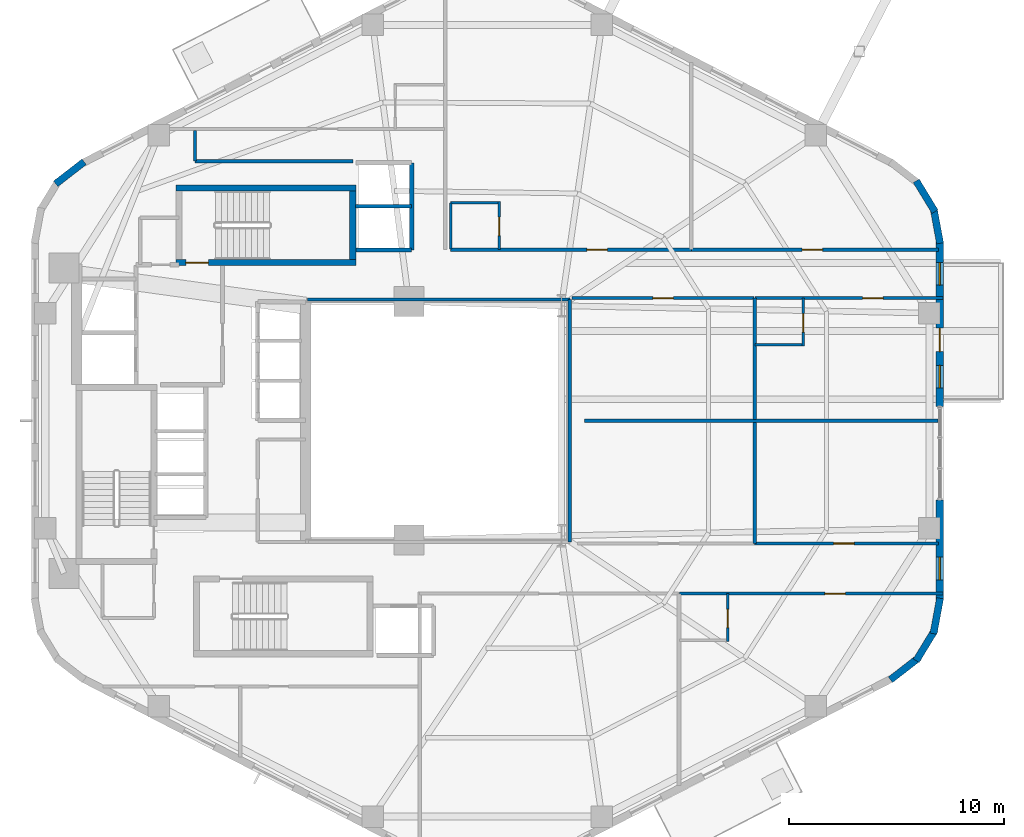
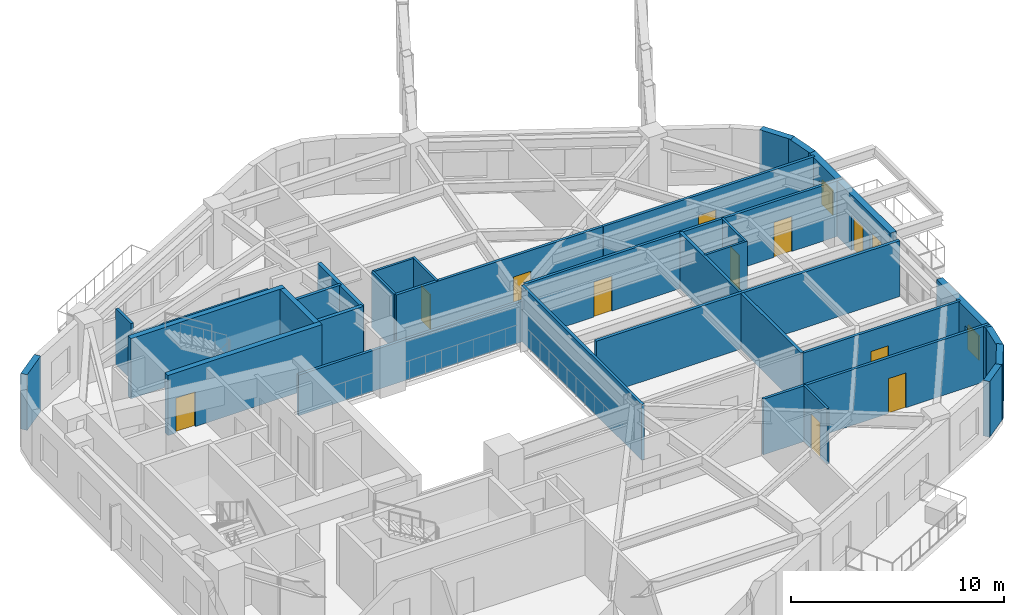
# One storey, part 6 of 10: 33 walls, 11 doors, 3 windows, 14 openings.
"""IFC4 building model written with IfcOpenShell, lengths in metres."""

import ifcopenshell
import ifcopenshell.guid

model = None  # the IFC model being written
_history = None  # IfcOwnerHistory: only IFC2X3 demands one
_inside = {}  # id of a spatial element -> (the spatial element, [elements in it])
_under = {}  # id of a project, library or spatial element -> (it, [spatial elements below it])
_declared = {}  # id of a project -> (the project, [libraries it declares])
_typed = {}  # id of a type object -> (the type object, [elements of that type])
_made_of = {}  # id of a material, layer set ... -> (it, [elements and type objects made of it])


def new_model(schema):
    """Start an empty IFC model of exactly this schema.

    Asked for "IFC4X3", IfcOpenShell would pick the latest addendum, in which some entities
    have other attributes; the version numbers below select the first issue.
    IFC2X3 requires an IfcOwnerHistory on every rooted entity: one is made here for all.
    """
    global model, _history
    if schema == "IFC4X3":
        model = ifcopenshell.file(schema_version=(4, 3, 0, 0))
    else:
        model = ifcopenshell.file(schema=schema)
    _inside.clear()
    _under.clear()
    _declared.clear()
    _typed.clear()
    _made_of.clear()
    _history = None
    if model.schema == "IFC2X3":
        org = make("IfcOrganization", Name="unknown")
        user = make(
            "IfcPersonAndOrganization",
            ThePerson=make("IfcPerson", FamilyName="unknown"),
            TheOrganization=org,
        )
        app = make(
            "IfcApplication",
            ApplicationDeveloper=org,
            Version="unknown",
            ApplicationFullName="unknown",
            ApplicationIdentifier="unknown",
        )
        _history = make(
            "IfcOwnerHistory",
            OwningUser=user,
            OwningApplication=app,
            ChangeAction="ADDED",
            CreationDate=0,
        )
    return model


def make(cls, **values):
    """One entity of the class cls with the attributes given. An attribute that is None is left unset."""
    return model.create_entity(
        cls, **{name: value for name, value in values.items() if value is not None}
    )


def rooted(cls, **values):
    """An entity with a GlobalId (a new one), such as an element, a storey or a relation."""
    return make(cls, GlobalId=ifcopenshell.guid.new(), OwnerHistory=_history, **values)


def si_unit(unit_type, name, prefix=None):
    """IfcSIUnit, for example si_unit("LENGTHUNIT", "METRE", prefix="MILLI")."""
    return make("IfcSIUnit", UnitType=unit_type, Prefix=prefix, Name=name)


def assignment(units):
    """IfcUnitAssignment: the units of a project."""
    return None if units is None else make("IfcUnitAssignment", Units=units)


def point(xyz):
    """IfcCartesianPoint."""
    return None if xyz is None else make("IfcCartesianPoint", Coordinates=xyz)


def direction(xyz):
    """IfcDirection."""
    return None if xyz is None else make("IfcDirection", DirectionRatios=xyz)


def frame(location, z_axis=None, x_axis=None):
    """IfcAxis2Placement3D, a coordinate frame: its origin and axes. An axis left out is left unset."""
    return make(
        "IfcAxis2Placement3D",
        Location=point(location),
        Axis=direction(z_axis),
        RefDirection=direction(x_axis),
    )


def frame_2d(location, x_axis=None):
    """IfcAxis2Placement2D, a coordinate frame in the plane: its origin and x axis."""
    return make(
        "IfcAxis2Placement2D", Location=point(location), RefDirection=direction(x_axis)
    )


def origin():
    """The frame at (0, 0, 0) with its axes left unset."""
    return frame((0.0, 0.0, 0.0))


def place(relative_to, where):
    """IfcLocalPlacement: puts the frame where relative to a parent placement (None: the world)."""
    return make(
        "IfcLocalPlacement", PlacementRelTo=relative_to, RelativePlacement=where
    )


def context(
    kind, dimensions, precision=None, world=None, true_north=None, identifier=None
):
    """IfcGeometricRepresentationContext, for example the 3D "Model" context."""
    return make(
        "IfcGeometricRepresentationContext",
        ContextIdentifier=identifier,
        ContextType=kind,
        CoordinateSpaceDimension=dimensions,
        Precision=precision,
        WorldCoordinateSystem=world,
        TrueNorth=true_north,
    )


def subcontext(parent, identifier, kind, view, scale=None):
    """IfcGeometricRepresentationSubContext, for example "Body" below "Model"."""
    return make(
        "IfcGeometricRepresentationSubContext",
        ContextIdentifier=identifier,
        ContextType=kind,
        ParentContext=parent,
        TargetScale=scale,
        TargetView=view,
    )


def project(units=None, contexts=None):
    """IfcProject with its units and contexts."""
    return rooted(
        "IfcProject",
        Name="project",
        RepresentationContexts=contexts,
        UnitsInContext=assignment(units),
    )


def spatial(cls, under=None, at=None, **own):
    """A site, building, storey or space (cls), placed at a placement, below another one or the project."""
    s = rooted(cls, ObjectPlacement=at, **own)
    if under is not None:
        _under.setdefault(under.id(), (under, []))[1].append(s)
    return s


def profile(cls, at=None, kind="AREA", **sizes):
    """A parametric profile (cls). Its sizes go by their IFC names, for example OverallWidth=200.0."""
    return make(cls, ProfileType=kind, Position=at, **sizes)


def rectangle(**sizes):
    """IfcRectangleProfileDef."""
    return profile("IfcRectangleProfileDef", **sizes)


def extrude(swept, where, along, depth):
    """IfcExtrudedAreaSolid: the profile swept, set in the frame where, extruded along a direction by depth."""
    return make(
        "IfcExtrudedAreaSolid",
        SweptArea=swept,
        Position=where,
        ExtrudedDirection=direction(along),
        Depth=depth,
    )


def shape(context_of_items, identifier, shape_type, items):
    """IfcShapeRepresentation: the items that make up one representation, for example the "Body"."""
    return make(
        "IfcShapeRepresentation",
        ContextOfItems=context_of_items,
        RepresentationIdentifier=identifier,
        RepresentationType=shape_type,
        Items=items,
    )


def material(Name=None, Category=None):
    """IfcMaterial."""
    return make("IfcMaterial", Name=Name, Category=Category)


def layer(
    of_material, thickness, ventilated=None, Name=None, Category=None, Priority=None
):
    """IfcMaterialLayer: one layer of a wall or slab, of a material (None: an air gap)."""
    return make(
        "IfcMaterialLayer",
        Material=of_material,
        LayerThickness=thickness,
        IsVentilated=ventilated,
        Name=Name,
        Category=Category,
        Priority=Priority,
    )


def layer_set(layers, Name=None):
    """IfcMaterialLayerSet."""
    return make("IfcMaterialLayerSet", MaterialLayers=layers, LayerSetName=Name)


def made_of(thing, what):
    """Note that an element or type object is made of a material, layer set ...; save() writes the relation."""
    if what is not None:
        _made_of.setdefault(what.id(), (what, []))[1].append(thing)
    return thing


def type_object(cls, material=None, **own):
    """A type object (cls), such as IfcWallType, which elements share."""
    return made_of(rooted(cls, **own), material)


def element(
    cls,
    number,
    at=None,
    inside=None,
    cuts=None,
    type_object=None,
    material=None,
    context=None,
    identifier="Body",
    shape_type=None,
    held_by="IfcProductDefinitionShape",
    body=None,
    shapes=None,
    **own,
):
    """One element of the class cls, such as IfcWall. Its Tag is "e" and its number.

    at: its placement. inside: the storey or other place that contains it. cuts: it is an
    opening in that element (IfcRelVoidsElement). A single representation is given by context,
    identifier, shape_type and body (its items); several are given by shapes. held_by: the class
    of the entity that holds the representations. save() writes the other relations.
    """
    e = rooted(cls, Tag="e%d" % number, ObjectPlacement=at, **own)
    if body is not None:
        shapes = [shape(context, identifier, shape_type, body)]
    if shapes is not None:
        e.Representation = make(held_by, Representations=shapes)
    if inside is not None:
        _inside.setdefault(inside.id(), (inside, []))[1].append(e)
    if cuts is not None:
        rooted(
            "IfcRelVoidsElement", RelatingBuildingElement=cuts, RelatedOpeningElement=e
        )
    if type_object is not None:
        _typed.setdefault(type_object.id(), (type_object, []))[1].append(e)
    return made_of(e, material)


def fill(opening, filler):
    """IfcRelFillsElement: the door or window that sits in an opening."""
    return rooted(
        "IfcRelFillsElement",
        RelatingOpeningElement=opening,
        RelatedBuildingElement=filler,
    )


def aggregate(whole, parts):
    """IfcRelAggregates: a whole, such as a stair, and the parts it consists of."""
    return rooted("IfcRelAggregates", RelatingObject=whole, RelatedObjects=parts)


def save(model, path):
    """Write the relations noted so far, then the file.

    IfcRelAggregates (storeys below a building ...), IfcRelContainedInSpatialStructure (elements
    in a storey), IfcRelDefinesByType, IfcRelAssociatesMaterial and IfcRelDeclares: one each for
    every whole, place, type object, material and project.
    """
    for whole, parts in _under.values():
        aggregate(whole, parts)
    for where, things in _inside.values():
        rooted(
            "IfcRelContainedInSpatialStructure",
            RelatedElements=things,
            RelatingStructure=where,
        )
    for kind, things in _typed.values():
        rooted("IfcRelDefinesByType", RelatedObjects=things, RelatingType=kind)
    for what, things in _made_of.values():
        rooted("IfcRelAssociatesMaterial", RelatedObjects=things, RelatingMaterial=what)
    for by, libraries in _declared.values():
        rooted("IfcRelDeclares", RelatingContext=by, RelatedDefinitions=libraries)
    model.write(path)


model = new_model("IFC4")

# Units and contexts
model_context = context("Model", 3, precision=1e-05, world=origin(), true_north=direction((0.0, 1.0)))
body_context = subcontext(model_context, "Body", "Model", "MODEL_VIEW")
ifc_project = project(units=[si_unit("LENGTHUNIT", "METRE"), si_unit("AREAUNIT", "SQUARE_METRE"), si_unit("VOLUMEUNIT", "CUBIC_METRE"), si_unit("PLANEANGLEUNIT", "RADIAN"), si_unit("MASSUNIT", "GRAM", prefix="KILO"), si_unit("THERMODYNAMICTEMPERATUREUNIT", "KELVIN"), si_unit("POWERUNIT", "WATT")], contexts=[model_context])

# Site, building, storey
site_placement = place(None, origin())
site = spatial("IfcSite", under=ifc_project, at=site_placement, CompositionType="ELEMENT")
building_placement = place(site_placement, origin())
building = spatial("IfcBuilding", under=site, at=building_placement, Name="Skarre Station Tower", CompositionType="ELEMENT")
storey_placement = place(building_placement, frame((0.0, 0.0, 105.0)))
storey = spatial("IfcBuildingStorey", under=building, at=storey_placement, Name="L27", CompositionType="ELEMENT", Elevation=105.0)

# Walls
ifc_material_1 = material(Name="Acoustic Steel-Stud Gypsum Partition", Category="steel")
ifc_layer_1 = layer(ifc_material_1, 0.14990234375, Name="Acoustic Steel-Stud Gypsum Partition")
ifc_layer_set_1 = layer_set([ifc_layer_1], Name="Acoustic Steel-Stud Gypsum Partition")
wall_type_1 = type_object("IfcWallType", Name="Fire-Rated Corridor Acoustic Partition 150", PredefinedType="PARTITIONING", material=ifc_layer_set_1)
wall_1_placement = place(storey_placement, frame((39.840087890625, 29.639892578125, 0.0), z_axis=(0.0, 0.0, 1.0), x_axis=(-1.0, 0.0, 0.0)))
element("IfcWall", 1, at=wall_1_placement, inside=storey, type_object=wall_type_1, Name="L27 Interior Partition WL-PT-L27-ATRW-N", PredefinedType="PARTITIONING", context=body_context, shape_type="SweptSolid", body=[
    extrude(rectangle(XDim=12.2001953125, YDim=0.14990234375, at=frame_2d((6.10009765625, 0.0))), origin(), (0.0, 0.0, 1.0), 2.3310546875),
])
wall_2_placement = place(storey_placement, frame((39.840087890625, 18.360107421875, 0.0), z_axis=(0.0, 0.0, 1.0), x_axis=(0.0, 1.0, 0.0)))
element("IfcWall", 2, at=wall_2_placement, inside=storey, type_object=wall_type_1, Name="L27 Interior Partition WL-PT-L27-ATRW-E", PredefinedType="PARTITIONING", context=body_context, shape_type="SweptSolid", body=[
    extrude(rectangle(XDim=11.27978515625, YDim=0.14990234375, at=frame_2d((5.639892578125, 0.0))), origin(), (0.0, 0.0, 1.0), 3.18994140625),
])

# Wall, opening, door
wall_3_placement = place(storey_placement, frame((45.493896484375, 31.9599609375, 0.0), z_axis=(0.0, 0.0, 1.0), x_axis=(-1.0, 0.0, 0.0)))
wall_3 = element("IfcWall", 3, at=wall_3_placement, inside=storey, type_object=wall_type_1, Name="L27 Interior Partition WL-PT-L27-NW1-CW", PredefinedType="PARTITIONING", context=body_context, shape_type="SweptSolid", body=[
    extrude(rectangle(XDim=11.203857421875, YDim=0.14990234375, at=frame_2d((5.60205078125, 0.0))), origin(), (0.0, 0.0, 1.0), 3.18994140625),
])
opening_1_placement = place(wall_3_placement, frame((3.903076171875, 0.0, 0.0)))
opening_1 = element("IfcOpeningElement", 4, at=opening_1_placement, cuts=wall_3, Name="Opening DR-FD60", PredefinedType="OPENING", context=body_context, shape_type="SweptSolid", body=[
    extrude(rectangle(XDim=0.9599609375, YDim=2.0, at=frame_2d((0.47998046875, 1.0))), frame((0.0, 0.0849609375, 0.0), z_axis=(0.0, -1.0, 0.0), x_axis=(1.0, 0.0, 0.0)), (0.0, 0.0, 1.0), 0.169921875),
])
ifc_material_2 = material(Name="Nordic White-Oak Veneer Solid-Core Fire Leaf", Category="wood")
door_type_1 = type_object("IfcDoorType", Name="Corridor Suite Entry Fire Door FD60 960x2150", OperationType="SINGLE_SWING_LEFT", PredefinedType="DOOR", material=ifc_material_2)
door_1_placement = place(opening_1_placement, origin())
door_1 = element("IfcDoor", 5, at=door_1_placement, inside=storey, type_object=door_type_1, Name="L27 NW1 Entry Door", OperationType="SINGLE_SWING_LEFT", OverallHeight=2.0, OverallWidth=0.9599609375, PredefinedType="DOOR", context=body_context, shape_type="SweptSolid", body=[
    extrude(rectangle(XDim=0.9599609375, YDim=2.0, at=frame_2d((0.47998046875, 1.0))), frame((0.0, 0.02490234375, 0.0), z_axis=(0.0, -1.0, 0.0), x_axis=(1.0, 0.0, 0.0)), (0.0, 0.0, 1.0), 0.050048828125),
])
fill(opening_1, door_1)

wall_4_placement = place(storey_placement, frame((56.987060546875, 31.9599609375, 0.0), z_axis=(0.0, 0.0, 1.0), x_axis=(-1.0, 0.0, 0.0)))
wall_4 = element("IfcWall", 6, at=wall_4_placement, inside=storey, type_object=wall_type_1, Name="L27 Interior Partition WL-PT-L27-NW2-CW", PredefinedType="PARTITIONING", context=body_context, shape_type="SweptSolid", body=[
    extrude(rectangle(XDim=11.483154296875, YDim=0.14990234375, at=frame_2d((5.74169921875, 0.0))), origin(), (0.0, 0.0, 1.0), 3.18994140625),
])
opening_2_placement = place(wall_4_placement, frame((5.381103515625, 0.0, 0.0)))
opening_2 = element("IfcOpeningElement", 7, at=opening_2_placement, cuts=wall_4, Name="Opening DR-FD60", PredefinedType="OPENING", context=body_context, shape_type="SweptSolid", body=[
    extrude(rectangle(XDim=0.9599609375, YDim=2.0, at=frame_2d((0.47998046875, 1.0))), frame((0.0, 0.0849609375, 0.0), z_axis=(0.0, -1.0, 0.0), x_axis=(1.0, 0.0, 0.0)), (0.0, 0.0, 1.0), 0.169921875),
])
door_2_placement = place(opening_2_placement, origin())
door_2 = element("IfcDoor", 8, at=door_2_placement, inside=storey, type_object=door_type_1, Name="L27 NW2 Entry Door", OperationType="SINGLE_SWING_LEFT", OverallHeight=2.0, OverallWidth=0.9599609375, PredefinedType="DOOR", context=body_context, shape_type="SweptSolid", body=[
    extrude(rectangle(XDim=0.9599609375, YDim=2.0, at=frame_2d((0.47998046875, 1.0))), frame((0.0, 0.02490234375, 0.0), z_axis=(0.0, -1.0, 0.0), x_axis=(1.0, 0.0, 0.0)), (0.0, 0.0, 1.0), 0.050048828125),
])
fill(opening_2, door_2)

wall_5_placement = place(storey_placement, frame((39.949951171875, 29.7099609375, 0.0), z_axis=(0.0, 0.0, 1.0), x_axis=(1.0, 0.0, 0.0)))
wall_5 = element("IfcWall", 9, at=wall_5_placement, inside=storey, type_object=wall_type_1, Name="L27 Interior Partition WL-PT-L27-EWN1-CW", PredefinedType="PARTITIONING", context=body_context, shape_type="SweptSolid", body=[
    extrude(rectangle(XDim=8.468994140625, YDim=0.14990234375, at=frame_2d((4.234375, 0.0))), origin(), (0.0, 0.0, 1.0), 3.18994140625),
])
opening_3_placement = place(wall_5_placement, frame((3.75390625, 0.0, 0.0)))
opening_3 = element("IfcOpeningElement", 10, at=opening_3_placement, cuts=wall_5, Name="Opening DR-FD60", PredefinedType="OPENING", context=body_context, shape_type="SweptSolid", body=[
    extrude(rectangle(XDim=0.9599609375, YDim=2.0, at=frame_2d((0.47998046875, 1.0))), frame((0.0, 0.0849609375, 0.0), z_axis=(0.0, -1.0, 0.0), x_axis=(1.0, 0.0, 0.0)), (0.0, 0.0, 1.0), 0.169921875),
])
door_3_placement = place(opening_3_placement, origin())
door_3 = element("IfcDoor", 11, at=door_3_placement, inside=storey, type_object=door_type_1, Name="L27 EWN1 Entry Door", OperationType="SINGLE_SWING_LEFT", OverallHeight=2.0, OverallWidth=0.9599609375, PredefinedType="DOOR", context=body_context, shape_type="SweptSolid", body=[
    extrude(rectangle(XDim=0.9599609375, YDim=2.0, at=frame_2d((0.47998046875, 1.0))), frame((0.0, 0.02490234375, 0.0), z_axis=(0.0, -1.0, 0.0), x_axis=(1.0, 0.0, 0.0)), (0.0, 0.0, 1.0), 0.050048828125),
])
fill(opening_3, door_3)

wall_6_placement = place(storey_placement, frame((48.448974609375, 29.7099609375, 0.0), z_axis=(0.0, 0.0, 1.0), x_axis=(1.0, 0.0, 0.0)))
wall_6 = element("IfcWall", 12, at=wall_6_placement, inside=storey, type_object=wall_type_1, Name="L27 Interior Partition WL-PT-L27-EWN2-CW", PredefinedType="PARTITIONING", context=body_context, shape_type="SweptSolid", body=[
    extrude(rectangle(XDim=8.759033203125, YDim=0.14990234375, at=frame_2d((4.37939453125, 0.0))), origin(), (0.0, 0.0, 1.0), 3.18994140625),
])
opening_4_placement = place(wall_6_placement, frame((5.013916015625, 0.0, 0.0)))
opening_4 = element("IfcOpeningElement", 13, at=opening_4_placement, cuts=wall_6, Name="Opening DR-FD60", PredefinedType="OPENING", context=body_context, shape_type="SweptSolid", body=[
    extrude(rectangle(XDim=0.9599609375, YDim=2.0, at=frame_2d((0.47998046875, 1.0))), frame((0.0, 0.0849609375, 0.0), z_axis=(0.0, -1.0, 0.0), x_axis=(1.0, 0.0, 0.0)), (0.0, 0.0, 1.0), 0.169921875),
])
door_4_placement = place(opening_4_placement, origin())
door_4 = element("IfcDoor", 14, at=door_4_placement, inside=storey, type_object=door_type_1, Name="L27 EWN2 Entry Door", OperationType="SINGLE_SWING_LEFT", OverallHeight=2.0, OverallWidth=0.9599609375, PredefinedType="DOOR", context=body_context, shape_type="SweptSolid", body=[
    extrude(rectangle(XDim=0.9599609375, YDim=2.0, at=frame_2d((0.47998046875, 1.0))), frame((0.0, 0.02490234375, 0.0), z_axis=(0.0, -1.0, 0.0), x_axis=(1.0, 0.0, 0.0)), (0.0, 0.0, 1.0), 0.050048828125),
])
fill(opening_4, door_4)

wall_7_placement = place(storey_placement, frame((56.988037109375, 18.2900390625, 0.0), z_axis=(0.0, 0.0, 1.0), x_axis=(-1.0, 0.0, 0.0)))
wall_7 = element("IfcWall", 15, at=wall_7_placement, inside=storey, type_object=wall_type_1, Name="L27 Interior Partition WL-PT-L27-EWS2-CW", PredefinedType="PARTITIONING", context=body_context, shape_type="SweptSolid", body=[
    extrude(rectangle(XDim=8.549072265625, YDim=0.14990234375, at=frame_2d((4.2744140625, 0.0))), origin(), (0.0, 0.0, 1.0), 3.18994140625),
])
opening_5_placement = place(wall_7_placement, frame((3.9140625, 0.0, 0.0)))
opening_5 = element("IfcOpeningElement", 16, at=opening_5_placement, cuts=wall_7, Name="Opening DR-FD60", PredefinedType="OPENING", context=body_context, shape_type="SweptSolid", body=[
    extrude(rectangle(XDim=0.9599609375, YDim=2.0, at=frame_2d((0.47998046875, 1.0))), frame((0.0, 0.0849609375, 0.0), z_axis=(0.0, -1.0, 0.0), x_axis=(1.0, 0.0, 0.0)), (0.0, 0.0, 1.0), 0.169921875),
])
door_5_placement = place(opening_5_placement, origin())
door_5 = element("IfcDoor", 17, at=door_5_placement, inside=storey, type_object=door_type_1, Name="L27 EWS2 Entry Door", OperationType="SINGLE_SWING_LEFT", OverallHeight=2.0, OverallWidth=0.9599609375, PredefinedType="DOOR", context=body_context, shape_type="SweptSolid", body=[
    extrude(rectangle(XDim=0.9599609375, YDim=2.0, at=frame_2d((0.47998046875, 1.0))), frame((0.0, 0.02490234375, 0.0), z_axis=(0.0, -1.0, 0.0), x_axis=(1.0, 0.0, 0.0)), (0.0, 0.0, 1.0), 0.050048828125),
])
fill(opening_5, door_5)

wall_8_placement = place(storey_placement, frame((44.93701171875, 15.9599609375, 0.0), z_axis=(0.0, 0.0, 1.0), x_axis=(1.0, 0.0, 0.0)))
wall_8 = element("IfcWall", 18, at=wall_8_placement, inside=storey, type_object=wall_type_1, Name="L27 Interior Partition WL-PT-L27-SW2-CW", PredefinedType="PARTITIONING", context=body_context, shape_type="SweptSolid", body=[
    extrude(rectangle(XDim=12.27099609375, YDim=0.14990234375, at=frame_2d((6.135498046875, 0.0))), origin(), (0.0, 0.0, 1.0), 3.18994140625),
])
opening_6_placement = place(wall_8_placement, frame((6.76904296875, 0.0, 0.0)))
opening_6 = element("IfcOpeningElement", 19, at=opening_6_placement, cuts=wall_8, Name="Opening DR-FD60", PredefinedType="OPENING", context=body_context, shape_type="SweptSolid", body=[
    extrude(rectangle(XDim=0.9599609375, YDim=2.0, at=frame_2d((0.47998046875, 1.0))), frame((0.0, 0.0849609375, 0.0), z_axis=(0.0, -1.0, 0.0), x_axis=(1.0, 0.0, 0.0)), (0.0, 0.0, 1.0), 0.169921875),
])
door_6_placement = place(opening_6_placement, origin())
door_6 = element("IfcDoor", 20, at=door_6_placement, inside=storey, type_object=door_type_1, Name="L27 SW2 Entry Door", OperationType="SINGLE_SWING_LEFT", OverallHeight=2.0, OverallWidth=0.9599609375, PredefinedType="DOOR", context=body_context, shape_type="SweptSolid", body=[
    extrude(rectangle(XDim=0.9599609375, YDim=2.0, at=frame_2d((0.47998046875, 1.0))), frame((0.0, 0.02490234375, 0.0), z_axis=(0.0, -1.0, 0.0), x_axis=(1.0, 0.0, 0.0)), (0.0, 0.0, 1.0), 0.050048828125),
])
fill(opening_6, door_6)

# Walls
wall_9_placement = place(storey_placement, frame((29.7529296875, 36.080078125, 0.0), z_axis=(0.0, 0.0, 1.0), x_axis=(-1.0, 0.0, 0.0)))
element("IfcWall", 21, at=wall_9_placement, inside=storey, type_object=wall_type_1, Name="L27 Interior Partition WL-PT-L27-CSEAL-1", PredefinedType="PARTITIONING", context=body_context, shape_type="SweptSolid", body=[
    extrude(rectangle(XDim=7.35302734375, YDim=0.14990234375, at=frame_2d((3.676513671875, 0.0))), origin(), (0.0, 0.0, 1.0), 2.58203125),
])
wall_10_placement = place(storey_placement, frame((22.39990234375, 36.080078125, 0.0), z_axis=(0.0, 0.0, 1.0), x_axis=(0.0, 1.0, 0.0)))
element("IfcWall", 22, at=wall_10_placement, inside=storey, type_object=wall_type_1, Name="L27 Interior Partition WL-PT-L27-CSEAL-2", PredefinedType="PARTITIONING", context=body_context, shape_type="SweptSolid", body=[
    extrude(rectangle(XDim=1.429931640625, YDim=0.14990234375, at=frame_2d((0.71484375, 0.0))), origin(), (0.0, 0.0, 1.0), 3.18994140625),
])

# Wall, opening, door
ifc_material_3 = material(Name="Insulated Timber-Stud Gypsum Partition", Category="wood")
ifc_layer_2 = layer(ifc_material_3, 0.1201171875, Name="Insulated Timber-Stud Gypsum Partition")
ifc_layer_set_2 = layer_set([ifc_layer_2], Name="Insulated Timber-Stud Gypsum Partition")
wall_type_2 = type_object("IfcWallType", Name="Internal Suite Acoustic Partition 120", PredefinedType="PARTITIONING", material=ifc_layer_set_2)
wall_11_placement = place(storey_placement, frame((36.550048828125, 31.9599609375, 0.0), z_axis=(0.0, 0.0, 1.0), x_axis=(0.0, 1.0, 0.0)))
wall_11 = element("IfcWall", 23, at=wall_11_placement, inside=storey, type_object=wall_type_2, Name="L27 Interior Partition WL-PT-L27-NW1-EW2", PredefinedType="PARTITIONING", context=body_context, shape_type="SweptSolid", body=[
    extrude(rectangle(XDim=2.239990234375, YDim=0.1201171875, at=frame_2d((1.1201171875, 0.0))), origin(), (0.0, 0.0, 1.0), 3.18994140625),
])
opening_7_placement = place(wall_11_placement, frame((0.64990234375, 0.0, 0.0)))
opening_7 = element("IfcOpeningElement", 24, at=opening_7_placement, cuts=wall_11, Name="Opening DR-INT86", PredefinedType="OPENING", context=body_context, shape_type="SweptSolid", body=[
    extrude(rectangle(XDim=0.860107421875, YDim=2.0, at=frame_2d((0.43017578125, 1.0))), frame((0.0, 0.070068359375, 0.0), z_axis=(0.0, -1.0, 0.0), x_axis=(1.0, 0.0, 0.0)), (0.0, 0.0, 1.0), 0.14013671875),
])
ifc_material_4 = material(Name="Nordic Birch Acoustic Solid-Core Timber Leaf", Category="wood")
door_type_2 = type_object("IfcDoorType", Name="Internal En-Suite & Bedroom Door 860x2100", OperationType="SINGLE_SWING_LEFT", PredefinedType="DOOR", material=ifc_material_4)
door_7_placement = place(opening_7_placement, origin())
door_7 = element("IfcDoor", 25, at=door_7_placement, inside=storey, type_object=door_type_2, Name="L27 NW1 En-suite Door", OperationType="SINGLE_SWING_LEFT", OverallHeight=2.0, OverallWidth=0.860107421875, PredefinedType="DOOR", context=body_context, shape_type="SweptSolid", body=[
    extrude(rectangle(XDim=0.860107421875, YDim=2.0, at=frame_2d((0.43017578125, 1.0))), frame((0.0, 0.02490234375, 0.0), z_axis=(0.0, -1.0, 0.0), x_axis=(1.0, 0.0, 0.0)), (0.0, 0.0, 1.0), 0.050048828125),
])
fill(opening_7, door_7)

# Walls
wall_12_placement = place(storey_placement, frame((36.610107421875, 34.139892578125, 0.0), z_axis=(0.0, 0.0, 1.0), x_axis=(-1.0, 0.0, 0.0)))
element("IfcWall", 26, at=wall_12_placement, inside=storey, type_object=wall_type_2, Name="L27 Interior Partition WL-PT-L27-NW1-EW3", PredefinedType="PARTITIONING", context=body_context, shape_type="SweptSolid", body=[
    extrude(rectangle(XDim=2.320068359375, YDim=0.1201171875, at=frame_2d((1.16015625, 0.0))), origin(), (0.0, 0.0, 1.0), 3.18994140625),
])
wall_13_placement = place(storey_placement, frame((34.2900390625, 34.139892578125, 0.0), z_axis=(0.0, 0.0, 1.0), x_axis=(0.0, -1.0, 0.0)))
element("IfcWall", 27, at=wall_13_placement, inside=storey, type_object=wall_type_2, Name="L27 Interior Partition WL-PT-L27-NW1-EW4", PredefinedType="PARTITIONING", context=body_context, shape_type="SweptSolid", body=[
    extrude(rectangle(XDim=2.139892578125, YDim=0.1201171875, at=frame_2d((1.06982421875, 0.0))), origin(), (0.0, 0.0, 1.0), 3.18994140625),
])

# Wall, opening, door
wall_14_placement = place(storey_placement, frame((50.708984375, 27.469970703125, 0.0), z_axis=(0.0, 0.0, 1.0), x_axis=(0.0, 1.0, 0.0)))
wall_14 = element("IfcWall", 28, at=wall_14_placement, inside=storey, type_object=wall_type_2, Name="L27 Interior Partition WL-PT-L27-EWN2-EW2", PredefinedType="PARTITIONING", context=body_context, shape_type="SweptSolid", body=[
    extrude(rectangle(XDim=2.239990234375, YDim=0.1201171875, at=frame_2d((1.1201171875, 0.0))), origin(), (0.0, 0.0, 1.0), 3.18994140625),
])
opening_8_placement = place(wall_14_placement, frame((0.64990234375, 0.0, 0.0)))
opening_8 = element("IfcOpeningElement", 29, at=opening_8_placement, cuts=wall_14, Name="Opening DR-INT86", PredefinedType="OPENING", context=body_context, shape_type="SweptSolid", body=[
    extrude(rectangle(XDim=0.860107421875, YDim=2.0, at=frame_2d((0.43017578125, 1.0))), frame((0.0, 0.070068359375, 0.0), z_axis=(0.0, -1.0, 0.0), x_axis=(1.0, 0.0, 0.0)), (0.0, 0.0, 1.0), 0.14013671875),
])
door_8_placement = place(opening_8_placement, origin())
door_8 = element("IfcDoor", 30, at=door_8_placement, inside=storey, type_object=door_type_2, Name="L27 EWN2 En-suite Door", OperationType="SINGLE_SWING_RIGHT", OverallHeight=2.0, OverallWidth=0.860107421875, PredefinedType="DOOR", context=body_context, shape_type="SweptSolid", body=[
    extrude(rectangle(XDim=0.860107421875, YDim=2.0, at=frame_2d((0.43017578125, 1.0))), frame((0.0, 0.02490234375, 0.0), z_axis=(0.0, -1.0, 0.0), x_axis=(1.0, 0.0, 0.0)), (0.0, 0.0, 1.0), 0.050048828125),
])
fill(opening_8, door_8)

# Wall
wall_15_placement = place(storey_placement, frame((48.448974609375, 27.530029296875, 0.0), z_axis=(0.0, 0.0, 1.0), x_axis=(1.0, 0.0, 0.0)))
element("IfcWall", 31, at=wall_15_placement, inside=storey, type_object=wall_type_2, Name="L27 Interior Partition WL-PT-L27-EWN2-EW1", PredefinedType="PARTITIONING", context=body_context, shape_type="SweptSolid", body=[
    extrude(rectangle(XDim=2.320068359375, YDim=0.1201171875, at=frame_2d((1.16015625, 0.0))), origin(), (0.0, 0.0, 1.0), 3.18994140625),
])

# Wall, opening, door
wall_16_placement = place(storey_placement, frame((47.197021484375, 13.719970703125, 0.0), z_axis=(0.0, 0.0, 1.0), x_axis=(0.0, 1.0, 0.0)))
wall_16 = element("IfcWall", 32, at=wall_16_placement, inside=storey, type_object=wall_type_2, Name="L27 Interior Partition WL-PT-L27-SW2-EW2", PredefinedType="PARTITIONING", context=body_context, shape_type="SweptSolid", body=[
    extrude(rectangle(XDim=2.239990234375, YDim=0.1201171875, at=frame_2d((1.1201171875, 0.0))), origin(), (0.0, 0.0, 1.0), 3.18994140625),
])
opening_9_placement = place(wall_16_placement, frame((0.64990234375, 0.0, 0.0)))
opening_9 = element("IfcOpeningElement", 33, at=opening_9_placement, cuts=wall_16, Name="Opening DR-INT86", PredefinedType="OPENING", context=body_context, shape_type="SweptSolid", body=[
    extrude(rectangle(XDim=0.860107421875, YDim=2.0, at=frame_2d((0.43017578125, 1.0))), frame((0.0, 0.070068359375, 0.0), z_axis=(0.0, -1.0, 0.0), x_axis=(1.0, 0.0, 0.0)), (0.0, 0.0, 1.0), 0.14013671875),
])
door_9_placement = place(opening_9_placement, origin())
door_9 = element("IfcDoor", 34, at=door_9_placement, inside=storey, type_object=door_type_2, Name="L27 SW2 En-suite Door", OperationType="SINGLE_SWING_RIGHT", OverallHeight=2.0, OverallWidth=0.860107421875, PredefinedType="DOOR", context=body_context, shape_type="SweptSolid", body=[
    extrude(rectangle(XDim=0.860107421875, YDim=2.0, at=frame_2d((0.43017578125, 1.0))), frame((0.0, 0.02490234375, 0.0), z_axis=(0.0, -1.0, 0.0), x_axis=(1.0, 0.0, 0.0)), (0.0, 0.0, 1.0), 0.050048828125),
])
fill(opening_9, door_9)

# Wall, openings, windows, door
ifc_material_5 = material(Name="Precast concrete C45/55", Category="concrete")
ifc_layer_3 = layer(ifc_material_5, 0.340087890625, Name="Precast concrete C45/55")
ifc_layer_set_3 = layer_set([ifc_layer_3], Name="Precast concrete C45/55")
wall_type_3 = type_object("IfcWallType", Name="Nordic Honed Precast Facet Wall 340", PredefinedType="STANDARD", material=ifc_layer_set_3)
wall_17_placement = place(storey_placement, frame((57.048095703125, 32.35205078125, 0.0), z_axis=(0.0, 0.0, 1.0), x_axis=(0.0, -1.0, 0.0)))
wall_17 = element("IfcWall", 35, at=wall_17_placement, inside=storey, type_object=wall_type_3, Name="L27 Facet 5 Pier A", PredefinedType="STANDARD", context=body_context, shape_type="SweptSolid", body=[
    extrude(rectangle(XDim=7.68408203125, YDim=0.340087890625, at=frame_2d((3.842041015625, 0.0))), origin(), (0.0, 0.0, 1.0), 3.18994140625),
])
opening_10_placement = place(wall_17_placement, frame((4.035888671875, 0.0, 0.0)))
opening_10 = element("IfcOpeningElement", 36, at=opening_10_placement, cuts=wall_17, Name="Opening DR-BAL110", PredefinedType="OPENING", context=body_context, shape_type="SweptSolid", body=[
    extrude(rectangle(XDim=1.10009765625, YDim=2.0400390625, at=frame_2d((0.550048828125, 1.02001953125))), frame((0.0, 0.179931640625, 0.0), z_axis=(0.0, -1.0, 0.0), x_axis=(1.0, 0.0, 0.0)), (0.0, 0.0, 1.0), 0.360107421875),
])
opening_11_placement = place(wall_17_placement, frame((0.991943359375, 0.0, 0.75)))
opening_11 = element("IfcOpeningElement", 37, at=opening_11_placement, cuts=wall_17, Name="Opening WN-SLT", PredefinedType="OPENING", context=body_context, shape_type="SweptSolid", body=[
    extrude(rectangle(XDim=1.050048828125, YDim=1.39990234375, at=frame_2d((0.52490234375, 0.699951171875))), frame((0.0, 0.179931640625, 0.0), z_axis=(0.0, -1.0, 0.0), x_axis=(1.0, 0.0, 0.0)), (0.0, 0.0, 1.0), 0.360107421875),
])
opening_12_placement = place(wall_17_placement, frame((5.77001953125, 0.0, 0.75)))
opening_12 = element("IfcOpeningElement", 38, at=opening_12_placement, cuts=wall_17, Name="Opening WN-SLT", PredefinedType="OPENING", context=body_context, shape_type="SweptSolid", body=[
    extrude(rectangle(XDim=1.050048828125, YDim=1.39990234375, at=frame_2d((0.52490234375, 0.699951171875))), frame((0.0, 0.179931640625, 0.0), z_axis=(0.0, -1.0, 0.0), x_axis=(1.0, 0.0, 0.0)), (0.0, 0.0, 1.0), 0.360107421875),
])
ifc_material_6 = material(Name="Low-Iron Triple Glazing with Bronze Anodized Frame", Category="glass")
window_type = type_object("IfcWindowType", Name="Nordic Corner Slot Window 1050x1400", PartitioningType="SINGLE_PANEL", PredefinedType="WINDOW", material=ifc_material_6)
window_1_placement = place(opening_11_placement, origin())
window_1 = element("IfcWindow", 39, at=window_1_placement, inside=storey, type_object=window_type, Name="L27 Facade Window WL-FAC-L27-F5A-1", OverallHeight=1.39990234375, OverallWidth=1.050048828125, PartitioningType="SINGLE_PANEL", PredefinedType="WINDOW", context=body_context, shape_type="SweptSolid", body=[
    extrude(rectangle(XDim=1.050048828125, YDim=1.39990234375, at=frame_2d((0.52490234375, 0.699951171875))), frame((0.0, 0.030029296875, 0.0), z_axis=(0.0, -1.0, 0.0), x_axis=(1.0, 0.0, 0.0)), (0.0, 0.0, 1.0), 0.06005859375),
])
fill(opening_11, window_1)
window_2_placement = place(opening_12_placement, origin())
window_2 = element("IfcWindow", 40, at=window_2_placement, inside=storey, type_object=window_type, Name="L27 Facade Window WL-FAC-L27-F5A-2", OverallHeight=1.39990234375, OverallWidth=1.050048828125, PartitioningType="SINGLE_PANEL", PredefinedType="WINDOW", context=body_context, shape_type="SweptSolid", body=[
    extrude(rectangle(XDim=1.050048828125, YDim=1.39990234375, at=frame_2d((0.52490234375, 0.699951171875))), frame((0.0, 0.030029296875, 0.0), z_axis=(0.0, -1.0, 0.0), x_axis=(1.0, 0.0, 0.0)), (0.0, 0.0, 1.0), 0.06005859375),
])
fill(opening_12, window_2)
ifc_material_7 = material(Name="Thermally Broken Aluminium & Triple Glazing", Category="aluminium")
door_type_3 = type_object("IfcDoorType", Name="Terrace & Tree-Balcony Glazed Door 1100x2200", OperationType="SINGLE_SWING_LEFT", PredefinedType="DOOR", material=ifc_material_7)
door_10_placement = place(opening_10_placement, origin())
door_10 = element("IfcDoor", 41, at=door_10_placement, inside=storey, type_object=door_type_3, Name="L27 SG-1 Conservatory Terrace Door", OperationType="SINGLE_SWING_LEFT", OverallHeight=2.0400390625, OverallWidth=1.10009765625, PredefinedType="DOOR", context=body_context, shape_type="SweptSolid", body=[
    extrude(rectangle(XDim=1.10009765625, YDim=2.0400390625, at=frame_2d((0.550048828125, 1.02001953125))), frame((0.0, 0.02490234375, 0.0), z_axis=(0.0, -1.0, 0.0), x_axis=(1.0, 0.0, 0.0)), (0.0, 0.0, 1.0), 0.050048828125),
])
fill(opening_10, door_10)

# Wall, opening, window
wall_18_placement = place(storey_placement, frame((57.048095703125, 20.324951171875, 0.0), z_axis=(0.0, 0.0, 1.0), x_axis=(0.0, -1.0, 0.0)))
wall_18 = element("IfcWall", 42, at=wall_18_placement, inside=storey, type_object=wall_type_3, Name="L27 Facet 5 Pier B", PredefinedType="STANDARD", context=body_context, shape_type="SweptSolid", body=[
    extrude(rectangle(XDim=4.677001953125, YDim=0.340087890625, at=frame_2d((2.33837890625, 0.0))), origin(), (0.0, 0.0, 1.0), 3.18994140625),
])
opening_13_placement = place(wall_18_placement, frame((2.675048828125, 0.0, 0.75)))
opening_13 = element("IfcOpeningElement", 43, at=opening_13_placement, cuts=wall_18, Name="Opening WN-SLT", PredefinedType="OPENING", context=body_context, shape_type="SweptSolid", body=[
    extrude(rectangle(XDim=1.050048828125, YDim=1.39990234375, at=frame_2d((0.52490234375, 0.699951171875))), frame((0.0, 0.179931640625, 0.0), z_axis=(0.0, -1.0, 0.0), x_axis=(1.0, 0.0, 0.0)), (0.0, 0.0, 1.0), 0.360107421875),
])
window_3_placement = place(opening_13_placement, origin())
window_3 = element("IfcWindow", 44, at=window_3_placement, inside=storey, type_object=window_type, Name="L27 Facade Window WL-FAC-L27-F5B-1", OverallHeight=1.39990234375, OverallWidth=1.050048828125, PartitioningType="SINGLE_PANEL", PredefinedType="WINDOW", context=body_context, shape_type="SweptSolid", body=[
    extrude(rectangle(XDim=1.050048828125, YDim=1.39990234375, at=frame_2d((0.52490234375, 0.699951171875))), frame((0.0, 0.030029296875, 0.0), z_axis=(0.0, -1.0, 0.0), x_axis=(1.0, 0.0, 0.0)), (0.0, 0.0, 1.0), 0.06005859375),
])
fill(opening_13, window_3)

# Walls
ifc_layer_4 = layer(ifc_material_5, 0.330078125, Name="Precast concrete C45/55")
ifc_layer_set_4 = layer_set([ifc_layer_4], Name="Precast concrete C45/55")
wall_type_4 = type_object("IfcWallType", Name="Nordic Rounded Corner Precast Wall 330", PredefinedType="STANDARD", material=ifc_layer_set_4)
wall_19_placement = place(storey_placement, frame((55.95703125, 35.1640625, 0.0), z_axis=(0.0, 0.0, 1.0), x_axis=(0.520519429557, -0.853849824883, 0.0)))
element("IfcWall", 45, at=wall_19_placement, inside=storey, type_object=wall_type_4, Name="L27 Rounded Corner Precast Wall F0-2", PredefinedType="STANDARD", context=body_context, shape_type="SweptSolid", body=[
    extrude(rectangle(XDim=1.67724609375, YDim=0.330078125, at=frame_2d((0.838623046875, 0.0))), origin(), (0.0, 0.0, 1.0), 3.18994140625),
])
wall_20_placement = place(storey_placement, frame((56.762939453125, 33.906982421875, 0.0), z_axis=(0.0, 0.0, 1.0), x_axis=(0.181984991895, -0.983301308209, 0.0)))
element("IfcWall", 46, at=wall_20_placement, inside=storey, type_object=wall_type_4, Name="L27 Rounded Corner Precast Wall F0-3", PredefinedType="STANDARD", context=body_context, shape_type="SweptSolid", body=[
    extrude(rectangle(XDim=1.677001953125, YDim=0.330078125, at=frame_2d((0.83837890625, 0.0))), origin(), (0.0, 0.0, 1.0), 3.18994140625),
])
wall_21_placement = place(storey_placement, frame((15.91796875, 35.02392578125, 0.0), z_axis=(0.0, 0.0, 1.0), x_axis=(0.790621329885, 0.612305408053, 0.0)))
element("IfcWall", 47, at=wall_21_placement, inside=storey, type_object=wall_type_4, Name="L27 Rounded Corner Precast Wall F2-3", PredefinedType="STANDARD", context=body_context, shape_type="SweptSolid", body=[
    extrude(rectangle(XDim=1.67578125, YDim=0.330078125, at=frame_2d((0.837890625, 0.0))), origin(), (0.0, 0.0, 1.0), 3.18994140625),
])
wall_22_placement = place(storey_placement, frame((57.068115234375, 15.741943359375, 0.0), z_axis=(0.0, 0.0, 1.0), x_axis=(-0.181984991895, -0.983301308209, 0.0)))
element("IfcWall", 48, at=wall_22_placement, inside=storey, type_object=wall_type_4, Name="L27 Rounded Corner Precast Wall F5-1", PredefinedType="STANDARD", context=body_context, shape_type="SweptSolid", body=[
    extrude(rectangle(XDim=1.677001953125, YDim=0.330078125, at=frame_2d((0.83837890625, 0.0))), origin(), (0.0, 0.0, 1.0), 3.18994140625),
])
wall_23_placement = place(storey_placement, frame((56.830078125, 14.26806640625, 0.0), z_axis=(0.0, 0.0, 1.0), x_axis=(-0.520519429557, -0.853849824883, 0.0)))
element("IfcWall", 49, at=wall_23_placement, inside=storey, type_object=wall_type_4, Name="L27 Rounded Corner Precast Wall F5-2", PredefinedType="STANDARD", context=body_context, shape_type="SweptSolid", body=[
    extrude(rectangle(XDim=1.67724609375, YDim=0.330078125, at=frame_2d((0.838623046875, 0.0))), origin(), (0.0, 0.0, 1.0), 3.18994140625),
])
wall_24_placement = place(storey_placement, frame((56.08203125, 12.97607421875, 0.0), z_axis=(0.0, 0.0, 1.0), x_axis=(-0.790621329885, -0.612305408053, 0.0)))
element("IfcWall", 50, at=wall_24_placement, inside=storey, type_object=wall_type_4, Name="L27 Rounded Corner Precast Wall F5-3", PredefinedType="STANDARD", context=body_context, shape_type="SweptSolid", body=[
    extrude(rectangle(XDim=1.67578125, YDim=0.330078125, at=frame_2d((0.837890625, 0.0))), origin(), (0.0, 0.0, 1.0), 3.18994140625),
])

# Wall, opening, door
ifc_material_8 = material(Name="Concrete C50/60", Category="concrete")
ifc_layer_5 = layer(ifc_material_8, 0.280029296875, Name="Concrete C50/60")
ifc_layer_set_5 = layer_set([ifc_layer_5], Name="Concrete C50/60")
wall_type_5 = type_object("IfcWallType", Name="RC Core Shear Wall 280", PredefinedType="SHEAR", material=ifc_layer_set_5)
wall_25_placement = place(storey_placement, frame((21.52001953125, 31.360107421875, 0.0), z_axis=(0.0, 0.0, 1.0), x_axis=(1.0, 0.0, 0.0)))
wall_25 = element("IfcWall", 51, at=wall_25_placement, inside=storey, type_object=wall_type_5, Name="L27 Stair ST-3 South Shear Wall", PredefinedType="SHEAR", context=body_context, shape_type="SweptSolid", body=[
    extrude(rectangle(XDim=8.35986328125, YDim=0.280029296875, at=frame_2d((4.179931640625, 0.0))), origin(), (0.0, 0.0, 1.0), 3.449951171875),
])
opening_14_placement = place(wall_25_placement, frame((0.449951171875, 0.0, 0.0)))
opening_14 = element("IfcOpeningElement", 52, at=opening_14_placement, cuts=wall_25, Name="Opening DR-FD90", PredefinedType="OPENING", context=body_context, shape_type="SweptSolid", body=[
    extrude(rectangle(XDim=1.050048828125, YDim=2.0, at=frame_2d((0.52490234375, 1.0))), frame((0.0, 0.14990234375, 0.0), z_axis=(0.0, -1.0, 0.0), x_axis=(1.0, 0.0, 0.0)), (0.0, 0.0, 1.0), 0.300048828125),
])
ifc_material_9 = material(Name="Fire-Rated Insulated Steel Frame & Timber Core Leaf", Category="steel")
door_type_4 = type_object("IfcDoorType", Name="Stair & FSAE Lobby Fire Door FD90 1050x2150", OperationType="SINGLE_SWING_RIGHT", PredefinedType="DOOR", material=ifc_material_9)
door_11_placement = place(opening_14_placement, origin())
door_11 = element("IfcDoor", 53, at=door_11_placement, inside=storey, type_object=door_type_4, Name="L27 Stair ST-3 & FSAE Lobby Direct Exit Door", OperationType="SINGLE_SWING_LEFT", OverallHeight=2.0, OverallWidth=1.050048828125, PredefinedType="DOOR", context=body_context, shape_type="SweptSolid", body=[
    extrude(rectangle(XDim=1.050048828125, YDim=2.0, at=frame_2d((0.52490234375, 1.0))), frame((0.0, 0.02490234375, 0.0), z_axis=(0.0, -1.0, 0.0), x_axis=(1.0, 0.0, 0.0)), (0.0, 0.0, 1.0), 0.050048828125),
])
fill(opening_14, door_11)

# Walls
wall_26_placement = place(storey_placement, frame((29.8798828125, 34.840087890625, 0.0), z_axis=(0.0, 0.0, 1.0), x_axis=(-1.0, 0.0, 0.0)))
element("IfcWall", 54, at=wall_26_placement, inside=storey, type_object=wall_type_5, Name="L27 Stair ST-3 North Shear Wall", PredefinedType="SHEAR", context=body_context, shape_type="SweptSolid", body=[
    extrude(rectangle(XDim=8.35986328125, YDim=0.280029296875, at=frame_2d((4.179931640625, 0.0))), origin(), (0.0, 0.0, 1.0), 3.449951171875),
])
wall_27_placement = place(storey_placement, frame((29.739990234375, 31.5, 0.0), z_axis=(0.0, 0.0, 1.0), x_axis=(0.0, 1.0, 0.0)))
element("IfcWall", 55, at=wall_27_placement, inside=storey, type_object=wall_type_5, Name="L27 Stair ST-3 East Shear Wall", PredefinedType="SHEAR", context=body_context, shape_type="SweptSolid", body=[
    extrude(rectangle(XDim=3.199951171875, YDim=0.280029296875, at=frame_2d((1.60009765625, 0.0))), origin(), (0.0, 0.0, 1.0), 3.449951171875),
])
ifc_material_10 = material(Name="Gypsum Concrete Shaft Assembly C30/37", Category="concrete")
ifc_layer_6 = layer(ifc_material_10, 0.199951171875, Name="Gypsum Concrete Shaft Assembly C30/37")
ifc_layer_set_6 = layer_set([ifc_layer_6], Name="Gypsum Concrete Shaft Assembly C30/37")
wall_type_6 = type_object("IfcWallType", Name="Shaft & Core Fire Partition 200", PredefinedType="PARTITIONING", material=ifc_layer_set_6)
wall_28_placement = place(storey_placement, frame((32.47998046875, 31.949951171875, 0.0), z_axis=(0.0, 0.0, 1.0), x_axis=(0.0, 1.0, 0.0)))
element("IfcWall", 56, at=wall_28_placement, inside=storey, type_object=wall_type_6, Name="L27 Interior Partition WL-PT-L27-EX-E", PredefinedType="PARTITIONING", context=body_context, shape_type="SweptSolid", body=[
    extrude(rectangle(XDim=4.050048828125, YDim=0.199951171875, at=frame_2d((2.02490234375, 0.0))), origin(), (0.0, 0.0, 1.0), 3.18994140625),
])
wall_29_placement = place(storey_placement, frame((32.47998046875, 31.949951171875, 0.0), z_axis=(0.0, 0.0, 1.0), x_axis=(-1.0, 0.0, 0.0)))
element("IfcWall", 57, at=wall_29_placement, inside=storey, type_object=wall_type_6, Name="L27 Interior Partition WL-PT-L27-EX-S", PredefinedType="PARTITIONING", context=body_context, shape_type="SweptSolid", body=[
    extrude(rectangle(XDim=2.60009765625, YDim=0.199951171875, at=frame_2d((1.300048828125, 0.0))), origin(), (0.0, 0.0, 1.0), 3.18994140625),
])
wall_30_placement = place(storey_placement, frame((29.875, 33.97998046875, 0.0), z_axis=(0.0, 0.0, 1.0), x_axis=(1.0, 0.0, 0.0)))
element("IfcWall", 58, at=wall_30_placement, inside=storey, type_object=wall_type_6, Name="L27 Interior Partition WL-PT-L27-EX-DIV", PredefinedType="PARTITIONING", context=body_context, shape_type="SweptSolid", body=[
    extrude(rectangle(XDim=2.60498046875, YDim=0.159912109375, at=frame_2d((1.302490234375, 0.0))), origin(), (0.0, 0.0, 1.0), 3.18994140625),
])
ifc_layer_7 = layer(ifc_material_1, 0.1650390625, Name="Acoustic Steel-Stud Gypsum Partition")
ifc_layer_set_7 = layer_set([ifc_layer_7], Name="Acoustic Steel-Stud Gypsum Partition")
wall_type_7 = type_object("IfcWallType", Name="Suite Demising Acoustic Partition 165", PredefinedType="PARTITIONING", material=ifc_layer_set_7)
wall_31_placement = place(storey_placement, frame((40.52001953125, 24.0, 0.0), z_axis=(0.0, 0.0, 1.0), x_axis=(1.0, 0.0, 0.0)))
element("IfcWall", 59, at=wall_31_placement, inside=storey, type_object=wall_type_7, Name="L27 Interior Partition WL-PT-L27-EW-Z2MID", PredefinedType="PARTITIONING", context=body_context, shape_type="SweptSolid", body=[
    extrude(rectangle(XDim=16.4580078125, YDim=0.1650390625, at=frame_2d((8.22900390625, 0.0))), origin(), (0.0, 0.0, 1.0), 3.18994140625),
])
for number, where, z_axis, x_axis, name in (
    (60, (48.43408203125, 24.070068359375, 0.0), (0.0, 0.0, 1.0), (0.0, 1.0, 0.0), "L27 Interior Partition WL-PT-L27-EWN-P1"),
    (61, (48.43408203125, 18.2900390625, 0.0), (0.0, 0.0, 1.0), (0.0, 1.0, 0.0), "L27 Interior Partition WL-PT-L27-EWS-P1"),
):
    element("IfcWall", number, at=place(storey_placement, frame(where, z_axis=z_axis, x_axis=x_axis)), inside=storey, type_object=wall_type_7, Name=name, PredefinedType="PARTITIONING", context=body_context, shape_type="SweptSolid", body=[
        extrude(rectangle(XDim=5.639892578125, YDim=0.1650390625, at=frame_2d((2.81982421875, 0.0))), origin(), (0.0, 0.0, 1.0), 3.18994140625),
    ])

save(model, "model.ifc")
